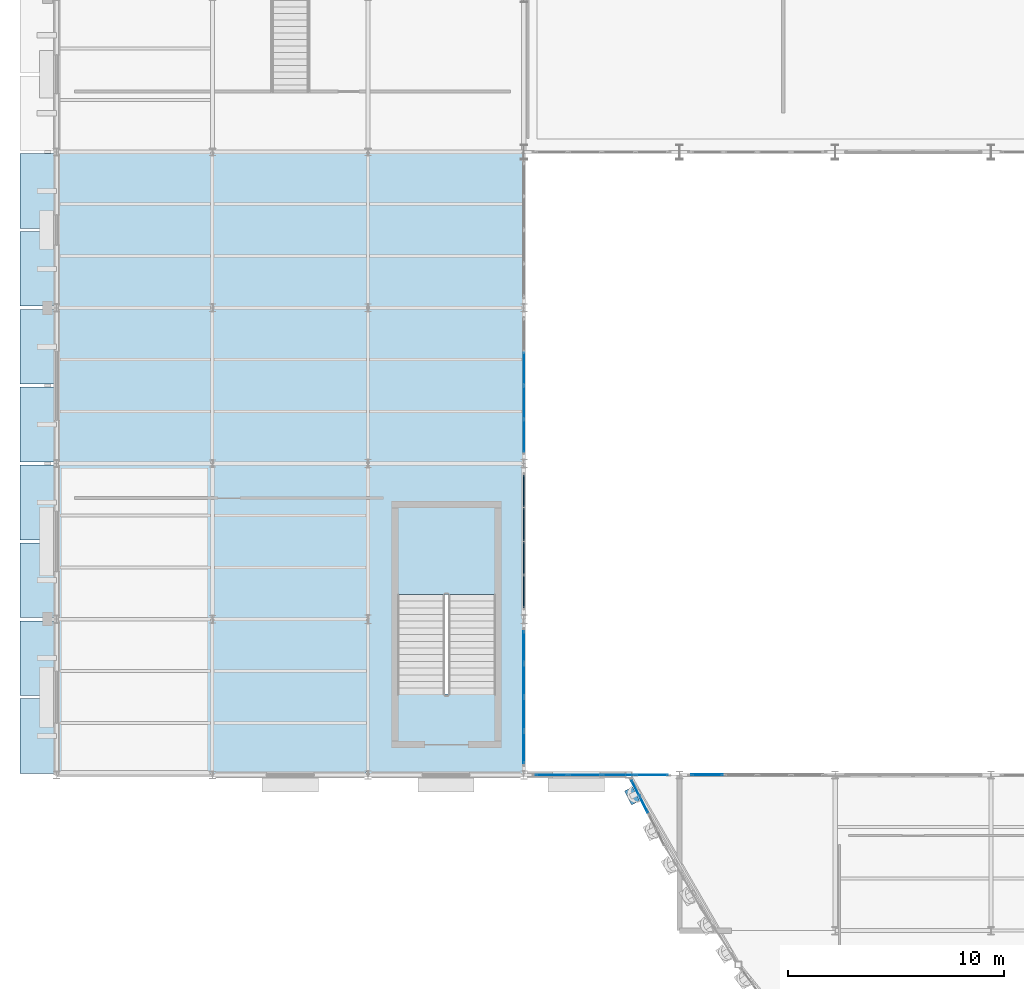
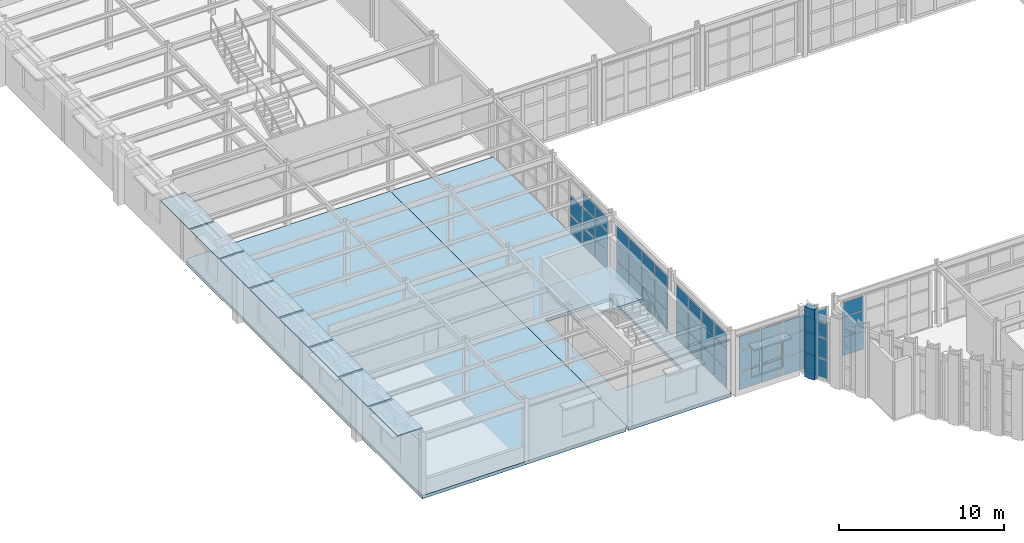
# One storey, part 84 of 126: 62 plates, 3 slabs, 7 elements without a shape of their own.
"""IFC4 building model written with IfcOpenShell, lengths in metres."""

from ifc_helpers import new_model, si_unit, direction, frame, origin, origin_2d, place, context, subcontext, project, spatial, polyline, rectangle, outline, extrude, material, layer, layer_set, type_object, element, aggregate, save


model = new_model("IFC4")

# Units and contexts
model_context = context("Model", 3, precision=1e-05, world=origin(), true_north=direction((0.0, 1.0)))
body_context = subcontext(model_context, "Body", "Model", "MODEL_VIEW")
ifc_project = project(units=[si_unit("LENGTHUNIT", "METRE"), si_unit("AREAUNIT", "SQUARE_METRE"), si_unit("VOLUMEUNIT", "CUBIC_METRE"), si_unit("PLANEANGLEUNIT", "RADIAN"), si_unit("MASSUNIT", "GRAM", prefix="KILO")], contexts=[model_context])

# Site, building, storey
site_placement = place(None, origin())
site = spatial("IfcSite", under=ifc_project, at=site_placement, CompositionType="ELEMENT")
building_placement = place(site_placement, origin())
building = spatial("IfcBuilding", under=site, at=building_placement, Name="Solvadek Multi-Sports Hall", CompositionType="ELEMENT")
storey_placement = place(building_placement, frame((0.0, 0.0, 9.60009765625)))
storey = spatial("IfcBuildingStorey", under=building, at=storey_placement, Name="L02", CompositionType="ELEMENT", Elevation=9.60009765625)

# Curtain wall, plates
ifc_material_1 = material(Name="Anodised aluminium", Category="aluminium")
ifc_layer_1 = layer(ifc_material_1, 0.159912109375, Name="Anodised aluminium")
ifc_layer_set_1 = layer_set([ifc_layer_1], Name="Anodised aluminium")
curtain_wall_type_1 = type_object("IfcCurtainWallType", Name="ENV-CW-624X400", PredefinedType="USERDEFINED", material=ifc_layer_set_1)
curtain_wall_1_placement = place(storey_placement, origin())
curtain_wall_1 = element("IfcCurtainWall", 1, at=curtain_wall_1_placement, inside=storey, type_object=curtain_wall_type_1, Name="L02 Perimeter Bay Curtain Wall #194", ObjectType="CURTAIN WALL", PredefinedType="USERDEFINED")
ifc_material_2 = material(Name="Tempered laminated low-E glass", Category="glass")
ifc_layer_2 = layer(ifc_material_2, 0.02392578125, Name="Tempered laminated low-E glass")
ifc_layer_set_2 = layer_set([ifc_layer_2], Name="Tempered laminated low-E glass")
plate_type_1 = type_object("IfcPlateType", Name="ENV-CWP-01", PredefinedType="CURTAIN_PANEL", material=ifc_layer_set_2)
plate_1_placement = place(storey_placement, frame((21.60009765625, 36.074951171875, 0.06494140625), z_axis=(0.0, 0.0, 1.0), x_axis=(0.0, 1.0, 0.0)))
plate_1 = element("IfcPlate", 2, at=plate_1_placement, type_object=plate_type_1, Name="CW-56 panel 1.1", PredefinedType="CURTAIN_PANEL", context=body_context, shape_type="SweptSolid", body=[
    extrude(rectangle(XDim=1.469970703125, YDim=0.02392578125, at=origin_2d()), origin(), (0.0, 0.0, 1.0), 1.302490234375),
])
plate_2_placement = place(storey_placement, frame((21.60009765625, 36.074951171875, 1.432373046875), z_axis=(0.0, 0.0, 1.0), x_axis=(0.0, 1.0, 0.0)))
plate_2 = element("IfcPlate", 3, at=plate_2_placement, type_object=plate_type_1, Name="CW-56 panel 1.2", PredefinedType="CURTAIN_PANEL", context=body_context, shape_type="SweptSolid", body=[
    extrude(rectangle(XDim=1.469970703125, YDim=0.02392578125, at=origin_2d()), origin(), (0.0, 0.0, 1.0), 1.4150390625),
])
plate_3_placement = place(storey_placement, frame((21.60009765625, 36.074951171875, 2.912353515625), z_axis=(0.0, 0.0, 1.0), x_axis=(0.0, 1.0, 0.0)))
plate_3 = element("IfcPlate", 4, at=plate_3_placement, type_object=plate_type_1, Name="CW-56 panel 1.3", PredefinedType="CURTAIN_PANEL", context=body_context, shape_type="SweptSolid", body=[
    extrude(rectangle(XDim=1.469970703125, YDim=0.02392578125, at=origin_2d()), origin(), (0.0, 0.0, 1.0), 1.0224609375),
])
plate_4_placement = place(storey_placement, frame((21.60009765625, 37.6201171875, 0.06494140625), z_axis=(0.0, 0.0, 1.0), x_axis=(0.0, 1.0, 0.0)))
plate_4 = element("IfcPlate", 5, at=plate_4_placement, type_object=plate_type_1, Name="CW-56 panel 2.1", PredefinedType="CURTAIN_PANEL", context=body_context, shape_type="SweptSolid", body=[
    extrude(rectangle(XDim=1.5, YDim=0.02392578125, at=origin_2d()), origin(), (0.0, 0.0, 1.0), 1.302490234375),
])
plate_5_placement = place(storey_placement, frame((21.60009765625, 37.6201171875, 1.432373046875), z_axis=(0.0, 0.0, 1.0), x_axis=(0.0, 1.0, 0.0)))
plate_5 = element("IfcPlate", 6, at=plate_5_placement, type_object=plate_type_1, Name="CW-56 panel 2.2", PredefinedType="CURTAIN_PANEL", context=body_context, shape_type="SweptSolid", body=[
    extrude(rectangle(XDim=1.5, YDim=0.02392578125, at=origin_2d()), origin(), (0.0, 0.0, 1.0), 1.4150390625),
])
plate_6_placement = place(storey_placement, frame((21.60009765625, 37.6201171875, 2.912353515625), z_axis=(0.0, 0.0, 1.0), x_axis=(0.0, 1.0, 0.0)))
plate_6 = element("IfcPlate", 7, at=plate_6_placement, type_object=plate_type_1, Name="CW-56 panel 2.3", PredefinedType="CURTAIN_PANEL", context=body_context, shape_type="SweptSolid", body=[
    extrude(rectangle(XDim=1.5, YDim=0.02392578125, at=origin_2d()), origin(), (0.0, 0.0, 1.0), 1.0224609375),
])
plate_7_placement = place(storey_placement, frame((21.60009765625, 39.179931640625, 0.06494140625), z_axis=(0.0, 0.0, 1.0), x_axis=(0.0, 1.0, 0.0)))
plate_7 = element("IfcPlate", 8, at=plate_7_placement, type_object=plate_type_1, Name="CW-56 panel 3.1", PredefinedType="CURTAIN_PANEL", context=body_context, shape_type="SweptSolid", body=[
    extrude(rectangle(XDim=1.5, YDim=0.02392578125, at=origin_2d()), origin(), (0.0, 0.0, 1.0), 1.302490234375),
])
plate_8_placement = place(storey_placement, frame((21.60009765625, 39.179931640625, 1.432373046875), z_axis=(0.0, 0.0, 1.0), x_axis=(0.0, 1.0, 0.0)))
plate_8 = element("IfcPlate", 9, at=plate_8_placement, type_object=plate_type_1, Name="CW-56 panel 3.2", PredefinedType="CURTAIN_PANEL", context=body_context, shape_type="SweptSolid", body=[
    extrude(rectangle(XDim=1.5, YDim=0.02392578125, at=origin_2d()), origin(), (0.0, 0.0, 1.0), 1.4150390625),
])
aggregate(curtain_wall_1, [plate_1, plate_2, plate_3, plate_4, plate_5, plate_6, plate_7, plate_8])

ifc_layer_3 = layer(ifc_material_1, 0.159912109375, Name="Anodised aluminium")
ifc_layer_set_3 = layer_set([ifc_layer_3], Name="Anodised aluminium")
curtain_wall_type_2 = type_object("IfcCurtainWallType", Name="ENV-CW-347X420", PredefinedType="USERDEFINED", material=ifc_layer_set_3)
curtain_wall_2_placement = place(storey_placement, origin())
curtain_wall_2 = element("IfcCurtainWall", 10, at=curtain_wall_2_placement, inside=storey, type_object=curtain_wall_type_2, Name="L02 Crescent Curved Curtain Wall #2", ObjectType="CURTAIN WALL", PredefinedType="USERDEFINED")
ifc_layer_4 = layer(ifc_material_2, 0.035888671875, Name="Tempered laminated low-E glass")
ifc_layer_set_4 = layer_set([ifc_layer_4], Name="Tempered laminated low-E glass")
plate_type_2 = type_object("IfcPlateType", Name="ENV-CWP-04", PredefinedType="CURTAIN_PANEL", material=ifc_layer_set_4)
plate_9_placement = place(storey_placement, frame((26.765869140625, 19.78466796875, 0.06494140625), z_axis=(0.0, 0.0, 1.0), x_axis=(0.451559432312, -0.892241043155, 0.0)))
plate_9 = element("IfcPlate", 11, at=plate_9_placement, type_object=plate_type_2, Name="CW-01 panel 1.1", PredefinedType="CURTAIN_PANEL", context=body_context, shape_type="SweptSolid", body=[
    extrude(rectangle(XDim=0.76904296875, YDim=0.035888671875, at=origin_2d()), origin(), (0.0, 0.0, 1.0), 1.37255859375),
])
plate_10_placement = place(storey_placement, frame((26.765869140625, 19.78466796875, 1.50244140625), z_axis=(0.0, 0.0, 1.0), x_axis=(0.451559432312, -0.892241043155, 0.0)))
plate_10 = element("IfcPlate", 12, at=plate_10_placement, type_object=plate_type_2, Name="CW-01 panel 1.2", PredefinedType="CURTAIN_PANEL", context=body_context, shape_type="SweptSolid", body=[
    extrude(rectangle(XDim=0.76904296875, YDim=0.035888671875, at=origin_2d()), origin(), (0.0, 0.0, 1.0), 1.489013671875),
])
plate_11_placement = place(storey_placement, frame((26.765869140625, 19.78466796875, 3.056396484375), z_axis=(0.0, 0.0, 1.0), x_axis=(0.451559432312, -0.892241043155, 0.0)))
plate_11 = element("IfcPlate", 13, at=plate_11_placement, type_object=plate_type_2, Name="CW-01 panel 1.3", PredefinedType="CURTAIN_PANEL", context=body_context, shape_type="SweptSolid", body=[
    extrude(rectangle(XDim=0.76904296875, YDim=0.035888671875, at=origin_2d()), origin(), (0.0, 0.0, 1.0), 1.07861328125),
])
plate_12_placement = place(storey_placement, frame((27.14990234375, 19.026123046875, 0.06494140625), z_axis=(0.0, 0.0, 1.0), x_axis=(0.451559432312, -0.892241043155, 0.0)))
plate_12 = element("IfcPlate", 14, at=plate_12_placement, type_object=plate_type_2, Name="CW-01 panel 2.1", PredefinedType="CURTAIN_PANEL", context=body_context, shape_type="SweptSolid", body=[
    extrude(rectangle(XDim=0.801513671875, YDim=0.035888671875, at=origin_2d()), origin(), (0.0, 0.0, 1.0), 1.37255859375),
])
plate_13_placement = place(storey_placement, frame((27.14990234375, 19.026123046875, 1.50244140625), z_axis=(0.0, 0.0, 1.0), x_axis=(0.451559432312, -0.892241043155, 0.0)))
plate_13 = element("IfcPlate", 15, at=plate_13_placement, type_object=plate_type_2, Name="CW-01 panel 2.2", PredefinedType="CURTAIN_PANEL", context=body_context, shape_type="SweptSolid", body=[
    extrude(rectangle(XDim=0.801513671875, YDim=0.035888671875, at=origin_2d()), origin(), (0.0, 0.0, 1.0), 1.489013671875),
])
plate_14_placement = place(storey_placement, frame((27.14990234375, 19.026123046875, 3.056396484375), z_axis=(0.0, 0.0, 1.0), x_axis=(0.451559432312, -0.892241043155, 0.0)))
plate_14 = element("IfcPlate", 16, at=plate_14_placement, type_object=plate_type_2, Name="CW-01 panel 2.3", PredefinedType="CURTAIN_PANEL", context=body_context, shape_type="SweptSolid", body=[
    extrude(rectangle(XDim=0.801513671875, YDim=0.035888671875, at=origin_2d()), origin(), (0.0, 0.0, 1.0), 1.07861328125),
])
aggregate(curtain_wall_2, [plate_9, plate_10, plate_11, plate_12, plate_13, plate_14])

ifc_layer_5 = layer(ifc_material_1, 0.159912109375, Name="Anodised aluminium")
ifc_layer_set_5 = layer_set([ifc_layer_5], Name="Anodised aluminium")
curtain_wall_type_3 = type_object("IfcCurtainWallType", Name="ENV-CW-624X408", PredefinedType="USERDEFINED", material=ifc_layer_set_5)
curtain_wall_3_placement = place(storey_placement, origin())
curtain_wall_3 = element("IfcCurtainWall", 17, at=curtain_wall_3_placement, inside=storey, type_object=curtain_wall_type_3, Name="L02 Perimeter Bay Curtain Wall #154", ObjectType="CURTAIN WALL", PredefinedType="USERDEFINED")
plate_15_placement = place(storey_placement, frame((22.876220703125, 20.39990234375, 0.06494140625), z_axis=(0.0, 0.0, 1.0), x_axis=(1.0, 0.0, 0.0)))
plate_15 = element("IfcPlate", 18, at=plate_15_placement, type_object=plate_type_2, Name="CW-40 panel 1.1", PredefinedType="CURTAIN_PANEL", context=body_context, shape_type="SweptSolid", body=[
    extrude(rectangle(XDim=1.46240234375, YDim=0.035888671875, at=origin_2d()), origin(), (0.0, 0.0, 1.0), 1.32861328125),
])
plate_16_placement = place(storey_placement, frame((22.876220703125, 20.39990234375, 1.45849609375), z_axis=(0.0, 0.0, 1.0), x_axis=(1.0, 0.0, 0.0)))
plate_16 = element("IfcPlate", 19, at=plate_16_placement, type_object=plate_type_2, Name="CW-40 panel 1.2", PredefinedType="CURTAIN_PANEL", context=body_context, shape_type="SweptSolid", body=[
    extrude(rectangle(XDim=1.46240234375, YDim=0.035888671875, at=origin_2d()), origin(), (0.0, 0.0, 1.0), 1.443115234375),
])
plate_17_placement = place(storey_placement, frame((22.876220703125, 20.39990234375, 2.96630859375), z_axis=(0.0, 0.0, 1.0), x_axis=(1.0, 0.0, 0.0)))
plate_17 = element("IfcPlate", 20, at=plate_17_placement, type_object=plate_type_2, Name="CW-40 panel 1.3", PredefinedType="CURTAIN_PANEL", context=body_context, shape_type="SweptSolid", body=[
    extrude(rectangle(XDim=1.46240234375, YDim=0.035888671875, at=origin_2d()), origin(), (0.0, 0.0, 1.0), 1.04345703125),
])
plate_18_placement = place(storey_placement, frame((24.419921875, 20.39990234375, 0.06494140625), z_axis=(0.0, 0.0, 1.0), x_axis=(1.0, 0.0, 0.0)))
plate_18 = element("IfcPlate", 21, at=plate_18_placement, type_object=plate_type_2, Name="CW-40 panel 2.1", PredefinedType="CURTAIN_PANEL", context=body_context, shape_type="SweptSolid", body=[
    extrude(rectangle(XDim=1.4951171875, YDim=0.035888671875, at=origin_2d()), origin(), (0.0, 0.0, 1.0), 1.32861328125),
])
plate_19_placement = place(storey_placement, frame((24.419921875, 20.39990234375, 1.45849609375), z_axis=(0.0, 0.0, 1.0), x_axis=(1.0, 0.0, 0.0)))
plate_19 = element("IfcPlate", 22, at=plate_19_placement, type_object=plate_type_2, Name="CW-40 panel 2.2", PredefinedType="CURTAIN_PANEL", context=body_context, shape_type="SweptSolid", body=[
    extrude(rectangle(XDim=1.4951171875, YDim=0.035888671875, at=origin_2d()), origin(), (0.0, 0.0, 1.0), 1.443115234375),
])
plate_20_placement = place(storey_placement, frame((24.419921875, 20.39990234375, 2.96630859375), z_axis=(0.0, 0.0, 1.0), x_axis=(1.0, 0.0, 0.0)))
plate_20 = element("IfcPlate", 23, at=plate_20_placement, type_object=plate_type_2, Name="CW-40 panel 2.3", PredefinedType="CURTAIN_PANEL", context=body_context, shape_type="SweptSolid", body=[
    extrude(rectangle(XDim=1.4951171875, YDim=0.035888671875, at=origin_2d()), origin(), (0.0, 0.0, 1.0), 1.04345703125),
])
plate_21_placement = place(storey_placement, frame((25.97998046875, 20.39990234375, 0.06494140625), z_axis=(0.0, 0.0, 1.0), x_axis=(1.0, 0.0, 0.0)))
plate_21 = element("IfcPlate", 24, at=plate_21_placement, type_object=plate_type_2, Name="CW-40 panel 3.1", PredefinedType="CURTAIN_PANEL", context=body_context, shape_type="SweptSolid", body=[
    extrude(rectangle(XDim=1.4951171875, YDim=0.035888671875, at=origin_2d()), origin(), (0.0, 0.0, 1.0), 1.32861328125),
])
plate_22_placement = place(storey_placement, frame((25.97998046875, 20.39990234375, 1.45849609375), z_axis=(0.0, 0.0, 1.0), x_axis=(1.0, 0.0, 0.0)))
plate_22 = element("IfcPlate", 25, at=plate_22_placement, type_object=plate_type_2, Name="CW-40 panel 3.2", PredefinedType="CURTAIN_PANEL", context=body_context, shape_type="SweptSolid", body=[
    extrude(rectangle(XDim=1.4951171875, YDim=0.035888671875, at=origin_2d()), origin(), (0.0, 0.0, 1.0), 1.443115234375),
])
plate_23_placement = place(storey_placement, frame((25.97998046875, 20.39990234375, 2.96630859375), z_axis=(0.0, 0.0, 1.0), x_axis=(1.0, 0.0, 0.0)))
plate_23 = element("IfcPlate", 26, at=plate_23_placement, type_object=plate_type_2, Name="CW-40 panel 3.3", PredefinedType="CURTAIN_PANEL", context=body_context, shape_type="SweptSolid", body=[
    extrude(rectangle(XDim=1.4951171875, YDim=0.035888671875, at=origin_2d()), origin(), (0.0, 0.0, 1.0), 1.04345703125),
])
plate_24_placement = place(storey_placement, frame((27.523681640625, 20.39990234375, 0.06494140625), z_axis=(0.0, 0.0, 1.0), x_axis=(1.0, 0.0, 0.0)))
plate_24 = element("IfcPlate", 27, at=plate_24_placement, type_object=plate_type_2, Name="CW-40 panel 4.1", PredefinedType="CURTAIN_PANEL", context=body_context, shape_type="SweptSolid", body=[
    extrude(rectangle(XDim=1.46240234375, YDim=0.035888671875, at=origin_2d()), origin(), (0.0, 0.0, 1.0), 1.32861328125),
])
plate_25_placement = place(storey_placement, frame((27.523681640625, 20.39990234375, 1.45849609375), z_axis=(0.0, 0.0, 1.0), x_axis=(1.0, 0.0, 0.0)))
plate_25 = element("IfcPlate", 28, at=plate_25_placement, type_object=plate_type_2, Name="CW-40 panel 4.2", PredefinedType="CURTAIN_PANEL", context=body_context, shape_type="SweptSolid", body=[
    extrude(rectangle(XDim=1.46240234375, YDim=0.035888671875, at=origin_2d()), origin(), (0.0, 0.0, 1.0), 1.443115234375),
])
plate_26_placement = place(storey_placement, frame((27.523681640625, 20.39990234375, 2.96630859375), z_axis=(0.0, 0.0, 1.0), x_axis=(1.0, 0.0, 0.0)))
plate_26 = element("IfcPlate", 29, at=plate_26_placement, type_object=plate_type_2, Name="CW-40 panel 4.3", PredefinedType="CURTAIN_PANEL", context=body_context, shape_type="SweptSolid", body=[
    extrude(rectangle(XDim=1.46240234375, YDim=0.035888671875, at=origin_2d()), origin(), (0.0, 0.0, 1.0), 1.04345703125),
])
aggregate(curtain_wall_3, [plate_15, plate_16, plate_17, plate_18, plate_19, plate_20, plate_21, plate_22, plate_23, plate_24, plate_25, plate_26])

ifc_layer_6 = layer(ifc_material_1, 0.159912109375, Name="Anodised aluminium")
ifc_layer_set_6 = layer_set([ifc_layer_6], Name="Anodised aluminium")
curtain_wall_type_4 = type_object("IfcCurtainWallType", Name="ENV-CW-624X405", PredefinedType="USERDEFINED", material=ifc_layer_set_6)
curtain_wall_4_placement = place(storey_placement, origin())
curtain_wall_4 = element("IfcCurtainWall", 30, at=curtain_wall_4_placement, inside=storey, type_object=curtain_wall_type_4, Name="L02 Perimeter Bay Curtain Wall #160", ObjectType="CURTAIN WALL", PredefinedType="USERDEFINED")
ifc_layer_7 = layer(ifc_material_2, 0.0419921875, Name="Tempered laminated low-E glass")
ifc_layer_set_7 = layer_set([ifc_layer_7], Name="Tempered laminated low-E glass")
plate_type_3 = type_object("IfcPlateType", Name="ENV-CWP-05", PredefinedType="CURTAIN_PANEL", material=ifc_layer_set_7)
plate_27_placement = place(storey_placement, frame((30.077392578125, 20.39990234375, 0.06005859375), z_axis=(0.0, 0.0, 1.0), x_axis=(1.0, 0.0, 0.0)))
plate_27 = element("IfcPlate", 31, at=plate_27_placement, type_object=plate_type_3, Name="CW-52 panel 1.1", PredefinedType="CURTAIN_PANEL", context=body_context, shape_type="SweptSolid", body=[
    extrude(rectangle(XDim=1.455078125, YDim=0.0419921875, at=origin_2d()), origin(), (0.0, 0.0, 1.0), 1.327880859375),
])
plate_28_placement = place(storey_placement, frame((30.077392578125, 20.39990234375, 1.447998046875), z_axis=(0.0, 0.0, 1.0), x_axis=(1.0, 0.0, 0.0)))
plate_28 = element("IfcPlate", 32, at=plate_28_placement, type_object=plate_type_3, Name="CW-52 panel 1.2", PredefinedType="CURTAIN_PANEL", context=body_context, shape_type="SweptSolid", body=[
    extrude(rectangle(XDim=1.455078125, YDim=0.0419921875, at=origin_2d()), origin(), (0.0, 0.0, 1.0), 1.43798828125),
])
plate_29_placement = place(storey_placement, frame((30.077392578125, 20.39990234375, 2.946044921875), z_axis=(0.0, 0.0, 1.0), x_axis=(1.0, 0.0, 0.0)))
plate_29 = element("IfcPlate", 33, at=plate_29_placement, type_object=plate_type_3, Name="CW-52 panel 1.3", PredefinedType="CURTAIN_PANEL", context=body_context, shape_type="SweptSolid", body=[
    extrude(rectangle(XDim=1.455078125, YDim=0.0419921875, at=origin_2d()), origin(), (0.0, 0.0, 1.0), 1.0439453125),
])
aggregate(curtain_wall_4, [plate_27, plate_28, plate_29])

curtain_wall_5_placement = place(storey_placement, origin())
curtain_wall_5 = element("IfcCurtainWall", 34, at=curtain_wall_5_placement, inside=storey, type_object=curtain_wall_type_4, Name="L02 Perimeter Bay Curtain Wall #182", ObjectType="CURTAIN WALL", PredefinedType="USERDEFINED")
plate_30_placement = place(storey_placement, frame((21.60009765625, 21.677490234375, 0.06005859375), z_axis=(0.0, 0.0, 1.0), x_axis=(0.0, 1.0, 0.0)))
plate_30 = element("IfcPlate", 35, at=plate_30_placement, type_object=plate_type_3, Name="CW-52 panel 1.1", PredefinedType="CURTAIN_PANEL", context=body_context, shape_type="SweptSolid", body=[
    extrude(rectangle(XDim=1.455078125, YDim=0.0419921875, at=origin_2d()), origin(), (0.0, 0.0, 1.0), 1.327880859375),
])
plate_31_placement = place(storey_placement, frame((21.60009765625, 21.677490234375, 1.447998046875), z_axis=(0.0, 0.0, 1.0), x_axis=(0.0, 1.0, 0.0)))
plate_31 = element("IfcPlate", 36, at=plate_31_placement, type_object=plate_type_3, Name="CW-52 panel 1.2", PredefinedType="CURTAIN_PANEL", context=body_context, shape_type="SweptSolid", body=[
    extrude(rectangle(XDim=1.455078125, YDim=0.0419921875, at=origin_2d()), origin(), (0.0, 0.0, 1.0), 1.43798828125),
])
plate_32_placement = place(storey_placement, frame((21.60009765625, 21.677490234375, 2.946044921875), z_axis=(0.0, 0.0, 1.0), x_axis=(0.0, 1.0, 0.0)))
plate_32 = element("IfcPlate", 37, at=plate_32_placement, type_object=plate_type_3, Name="CW-52 panel 1.3", PredefinedType="CURTAIN_PANEL", context=body_context, shape_type="SweptSolid", body=[
    extrude(rectangle(XDim=1.455078125, YDim=0.0419921875, at=origin_2d()), origin(), (0.0, 0.0, 1.0), 1.0439453125),
])
plate_33_placement = place(storey_placement, frame((21.60009765625, 23.219970703125, 0.06005859375), z_axis=(0.0, 0.0, 1.0), x_axis=(0.0, 1.0, 0.0)))
plate_33 = element("IfcPlate", 38, at=plate_33_placement, type_object=plate_type_3, Name="CW-52 panel 2.1", PredefinedType="CURTAIN_PANEL", context=body_context, shape_type="SweptSolid", body=[
    extrude(rectangle(XDim=1.489990234375, YDim=0.0419921875, at=origin_2d()), origin(), (0.0, 0.0, 1.0), 1.327880859375),
])
plate_34_placement = place(storey_placement, frame((21.60009765625, 23.219970703125, 1.447998046875), z_axis=(0.0, 0.0, 1.0), x_axis=(0.0, 1.0, 0.0)))
plate_34 = element("IfcPlate", 39, at=plate_34_placement, type_object=plate_type_3, Name="CW-52 panel 2.2", PredefinedType="CURTAIN_PANEL", context=body_context, shape_type="SweptSolid", body=[
    extrude(rectangle(XDim=1.489990234375, YDim=0.0419921875, at=origin_2d()), origin(), (0.0, 0.0, 1.0), 1.43798828125),
])
plate_35_placement = place(storey_placement, frame((21.60009765625, 23.219970703125, 2.946044921875), z_axis=(0.0, 0.0, 1.0), x_axis=(0.0, 1.0, 0.0)))
plate_35 = element("IfcPlate", 40, at=plate_35_placement, type_object=plate_type_3, Name="CW-52 panel 2.3", PredefinedType="CURTAIN_PANEL", context=body_context, shape_type="SweptSolid", body=[
    extrude(rectangle(XDim=1.489990234375, YDim=0.0419921875, at=origin_2d()), origin(), (0.0, 0.0, 1.0), 1.0439453125),
])
plate_36_placement = place(storey_placement, frame((21.60009765625, 24.780029296875, 0.06005859375), z_axis=(0.0, 0.0, 1.0), x_axis=(0.0, 1.0, 0.0)))
plate_36 = element("IfcPlate", 41, at=plate_36_placement, type_object=plate_type_3, Name="CW-52 panel 3.1", PredefinedType="CURTAIN_PANEL", context=body_context, shape_type="SweptSolid", body=[
    extrude(rectangle(XDim=1.489990234375, YDim=0.0419921875, at=origin_2d()), origin(), (0.0, 0.0, 1.0), 1.327880859375),
])
plate_37_placement = place(storey_placement, frame((21.60009765625, 24.780029296875, 1.447998046875), z_axis=(0.0, 0.0, 1.0), x_axis=(0.0, 1.0, 0.0)))
plate_37 = element("IfcPlate", 42, at=plate_37_placement, type_object=plate_type_3, Name="CW-52 panel 3.2", PredefinedType="CURTAIN_PANEL", context=body_context, shape_type="SweptSolid", body=[
    extrude(rectangle(XDim=1.489990234375, YDim=0.0419921875, at=origin_2d()), origin(), (0.0, 0.0, 1.0), 1.43798828125),
])
plate_38_placement = place(storey_placement, frame((21.60009765625, 24.780029296875, 2.946044921875), z_axis=(0.0, 0.0, 1.0), x_axis=(0.0, 1.0, 0.0)))
plate_38 = element("IfcPlate", 43, at=plate_38_placement, type_object=plate_type_3, Name="CW-52 panel 3.3", PredefinedType="CURTAIN_PANEL", context=body_context, shape_type="SweptSolid", body=[
    extrude(rectangle(XDim=1.489990234375, YDim=0.0419921875, at=origin_2d()), origin(), (0.0, 0.0, 1.0), 1.0439453125),
])
plate_39_placement = place(storey_placement, frame((21.60009765625, 26.322509765625, 0.06005859375), z_axis=(0.0, 0.0, 1.0), x_axis=(0.0, 1.0, 0.0)))
plate_39 = element("IfcPlate", 44, at=plate_39_placement, type_object=plate_type_3, Name="CW-52 panel 4.1", PredefinedType="CURTAIN_PANEL", context=body_context, shape_type="SweptSolid", body=[
    extrude(rectangle(XDim=1.455078125, YDim=0.0419921875, at=origin_2d()), origin(), (0.0, 0.0, 1.0), 1.327880859375),
])
plate_40_placement = place(storey_placement, frame((21.60009765625, 26.322509765625, 1.447998046875), z_axis=(0.0, 0.0, 1.0), x_axis=(0.0, 1.0, 0.0)))
plate_40 = element("IfcPlate", 45, at=plate_40_placement, type_object=plate_type_3, Name="CW-52 panel 4.2", PredefinedType="CURTAIN_PANEL", context=body_context, shape_type="SweptSolid", body=[
    extrude(rectangle(XDim=1.455078125, YDim=0.0419921875, at=origin_2d()), origin(), (0.0, 0.0, 1.0), 1.43798828125),
])
plate_41_placement = place(storey_placement, frame((21.60009765625, 26.322509765625, 2.946044921875), z_axis=(0.0, 0.0, 1.0), x_axis=(0.0, 1.0, 0.0)))
plate_41 = element("IfcPlate", 46, at=plate_41_placement, type_object=plate_type_3, Name="CW-52 panel 4.3", PredefinedType="CURTAIN_PANEL", context=body_context, shape_type="SweptSolid", body=[
    extrude(rectangle(XDim=1.455078125, YDim=0.0419921875, at=origin_2d()), origin(), (0.0, 0.0, 1.0), 1.0439453125),
])
aggregate(curtain_wall_5, [plate_30, plate_31, plate_32, plate_33, plate_34, plate_35, plate_36, plate_37, plate_38, plate_39, plate_40, plate_41])

ifc_layer_8 = layer(ifc_material_1, 0.159912109375, Name="Anodised aluminium")
ifc_layer_set_8 = layer_set([ifc_layer_8], Name="Anodised aluminium")
curtain_wall_type_5 = type_object("IfcCurtainWallType", Name="ENV-CW-624X403", PredefinedType="USERDEFINED", material=ifc_layer_set_8)
curtain_wall_6_placement = place(storey_placement, origin())
curtain_wall_6 = element("IfcCurtainWall", 47, at=curtain_wall_6_placement, inside=storey, type_object=curtain_wall_type_5, Name="L02 Perimeter Bay Curtain Wall #188", ObjectType="CURTAIN WALL", PredefinedType="USERDEFINED")
ifc_layer_9 = layer(ifc_material_2, 0.048095703125, Name="Tempered laminated low-E glass")
ifc_layer_set_9 = layer_set([ifc_layer_9], Name="Tempered laminated low-E glass")
plate_type_4 = type_object("IfcPlateType", Name="ENV-CWP-06", PredefinedType="CURTAIN_PANEL", material=ifc_layer_set_9)
plate_42_placement = place(storey_placement, frame((21.60009765625, 28.875, 0.06005859375), z_axis=(0.0, 0.0, 1.0), x_axis=(0.0, 1.0, 0.0)))
plate_42 = element("IfcPlate", 48, at=plate_42_placement, type_object=plate_type_4, Name="CW-43 panel 1.1", PredefinedType="CURTAIN_PANEL", context=body_context, shape_type="SweptSolid", body=[
    extrude(rectangle(XDim=1.469970703125, YDim=0.048095703125, at=origin_2d()), origin(), (0.0, 0.0, 1.0), 1.319091796875),
])
plate_43_placement = place(storey_placement, frame((21.60009765625, 28.875, 1.43896484375), z_axis=(0.0, 0.0, 1.0), x_axis=(0.0, 1.0, 0.0)))
plate_43 = element("IfcPlate", 49, at=plate_43_placement, type_object=plate_type_4, Name="CW-43 panel 1.2", PredefinedType="CURTAIN_PANEL", context=body_context, shape_type="SweptSolid", body=[
    extrude(rectangle(XDim=1.469970703125, YDim=0.048095703125, at=origin_2d()), origin(), (0.0, 0.0, 1.0), 1.428955078125),
])
plate_44_placement = place(storey_placement, frame((21.60009765625, 28.875, 2.927734375), z_axis=(0.0, 0.0, 1.0), x_axis=(0.0, 1.0, 0.0)))
plate_44 = element("IfcPlate", 50, at=plate_44_placement, type_object=plate_type_4, Name="CW-43 panel 1.3", PredefinedType="CURTAIN_PANEL", context=body_context, shape_type="SweptSolid", body=[
    extrude(rectangle(XDim=1.469970703125, YDim=0.048095703125, at=origin_2d()), origin(), (0.0, 0.0, 1.0), 1.037109375),
])
plate_45_placement = place(storey_placement, frame((21.60009765625, 30.419921875, 0.06005859375), z_axis=(0.0, 0.0, 1.0), x_axis=(0.0, 1.0, 0.0)))
plate_45 = element("IfcPlate", 51, at=plate_45_placement, type_object=plate_type_4, Name="CW-43 panel 2.1", PredefinedType="CURTAIN_PANEL", context=body_context, shape_type="SweptSolid", body=[
    extrude(rectangle(XDim=1.5, YDim=0.048095703125, at=origin_2d()), origin(), (0.0, 0.0, 1.0), 1.319091796875),
])
plate_46_placement = place(storey_placement, frame((21.60009765625, 30.419921875, 1.43896484375), z_axis=(0.0, 0.0, 1.0), x_axis=(0.0, 1.0, 0.0)))
plate_46 = element("IfcPlate", 52, at=plate_46_placement, type_object=plate_type_4, Name="CW-43 panel 2.2", PredefinedType="CURTAIN_PANEL", context=body_context, shape_type="SweptSolid", body=[
    extrude(rectangle(XDim=1.5, YDim=0.048095703125, at=origin_2d()), origin(), (0.0, 0.0, 1.0), 1.428955078125),
])
plate_47_placement = place(storey_placement, frame((21.60009765625, 30.419921875, 2.927734375), z_axis=(0.0, 0.0, 1.0), x_axis=(0.0, 1.0, 0.0)))
plate_47 = element("IfcPlate", 53, at=plate_47_placement, type_object=plate_type_4, Name="CW-43 panel 2.3", PredefinedType="CURTAIN_PANEL", context=body_context, shape_type="SweptSolid", body=[
    extrude(rectangle(XDim=1.5, YDim=0.048095703125, at=origin_2d()), origin(), (0.0, 0.0, 1.0), 1.037109375),
])
plate_48_placement = place(storey_placement, frame((21.60009765625, 31.97998046875, 0.06005859375), z_axis=(0.0, 0.0, 1.0), x_axis=(0.0, 1.0, 0.0)))
plate_48 = element("IfcPlate", 54, at=plate_48_placement, type_object=plate_type_4, Name="CW-43 panel 3.1", PredefinedType="CURTAIN_PANEL", context=body_context, shape_type="SweptSolid", body=[
    extrude(rectangle(XDim=1.5, YDim=0.048095703125, at=origin_2d()), origin(), (0.0, 0.0, 1.0), 1.319091796875),
])
plate_49_placement = place(storey_placement, frame((21.60009765625, 31.97998046875, 1.43896484375), z_axis=(0.0, 0.0, 1.0), x_axis=(0.0, 1.0, 0.0)))
plate_49 = element("IfcPlate", 55, at=plate_49_placement, type_object=plate_type_4, Name="CW-43 panel 3.2", PredefinedType="CURTAIN_PANEL", context=body_context, shape_type="SweptSolid", body=[
    extrude(rectangle(XDim=1.5, YDim=0.048095703125, at=origin_2d()), origin(), (0.0, 0.0, 1.0), 1.428955078125),
])
plate_50_placement = place(storey_placement, frame((21.60009765625, 31.97998046875, 2.927734375), z_axis=(0.0, 0.0, 1.0), x_axis=(0.0, 1.0, 0.0)))
plate_50 = element("IfcPlate", 56, at=plate_50_placement, type_object=plate_type_4, Name="CW-43 panel 3.3", PredefinedType="CURTAIN_PANEL", context=body_context, shape_type="SweptSolid", body=[
    extrude(rectangle(XDim=1.5, YDim=0.048095703125, at=origin_2d()), origin(), (0.0, 0.0, 1.0), 1.037109375),
])
plate_51_placement = place(storey_placement, frame((21.60009765625, 33.52490234375, 0.06005859375), z_axis=(0.0, 0.0, 1.0), x_axis=(0.0, 1.0, 0.0)))
plate_51 = element("IfcPlate", 57, at=plate_51_placement, type_object=plate_type_4, Name="CW-43 panel 4.1", PredefinedType="CURTAIN_PANEL", context=body_context, shape_type="SweptSolid", body=[
    extrude(rectangle(XDim=1.469970703125, YDim=0.048095703125, at=origin_2d()), origin(), (0.0, 0.0, 1.0), 1.319091796875),
])
plate_52_placement = place(storey_placement, frame((21.60009765625, 33.52490234375, 1.43896484375), z_axis=(0.0, 0.0, 1.0), x_axis=(0.0, 1.0, 0.0)))
plate_52 = element("IfcPlate", 58, at=plate_52_placement, type_object=plate_type_4, Name="CW-43 panel 4.2", PredefinedType="CURTAIN_PANEL", context=body_context, shape_type="SweptSolid", body=[
    extrude(rectangle(XDim=1.469970703125, YDim=0.048095703125, at=origin_2d()), origin(), (0.0, 0.0, 1.0), 1.428955078125),
])
plate_53_placement = place(storey_placement, frame((21.60009765625, 33.52490234375, 2.927734375), z_axis=(0.0, 0.0, 1.0), x_axis=(0.0, 1.0, 0.0)))
plate_53 = element("IfcPlate", 59, at=plate_53_placement, type_object=plate_type_4, Name="CW-43 panel 4.3", PredefinedType="CURTAIN_PANEL", context=body_context, shape_type="SweptSolid", body=[
    extrude(rectangle(XDim=1.469970703125, YDim=0.048095703125, at=origin_2d()), origin(), (0.0, 0.0, 1.0), 1.037109375),
])
aggregate(curtain_wall_6, [plate_42, plate_43, plate_44, plate_45, plate_46, plate_47, plate_48, plate_49, plate_50, plate_51, plate_52, plate_53])

# Plates
ifc_material_3 = material(Name="Perforated champagne-bronze anodised aluminium", Category="aluminium")
ifc_layer_10 = layer(ifc_material_3, 0.419921875, Name="Perforated champagne-bronze anodised aluminium")
ifc_layer_set_10 = layer_set([ifc_layer_10], Name="Perforated champagne-bronze anodised aluminium")
plate_type_5 = type_object("IfcPlateType", Name="ENV-FLT-520", PredefinedType="USERDEFINED", material=ifc_layer_set_10)
plate_54_placement = place(storey_placement, frame((26.608642578125, 19.43115234375, 0.0400390625), z_axis=(0.0, 0.0, 1.0), x_axis=(0.451555495273, -0.892243035663, 0.0)))
element("IfcPlate", 60, at=plate_54_placement, inside=storey, type_object=plate_type_5, Name="L02 Half-Cylinder Colonnade Flute #3", ObjectType="FLANGED_SHEET", PredefinedType="USERDEFINED", context=body_context, shape_type="SweptSolid", body=[
    extrude(rectangle(XDim=0.719970703125, YDim=0.419921875, at=origin_2d()), origin(), (0.0, 0.0, 1.0), 5.199951171875),
])
ifc_material_4 = material(Name="Teak hardwood timber", Category="wood")
ifc_layer_11 = layer(ifc_material_4, 0.080078125, Name="Teak hardwood timber")
ifc_layer_set_11 = layer_set([ifc_layer_11], Name="Teak hardwood timber")
plate_type_6 = type_object("IfcPlateType", Name="ENV-SHT-EAV2", PredefinedType="SHEET", material=ifc_layer_set_11)
for number, where, z_axis, x_axis, name in (
    (61, (-0.820068359375, 22.199951171875, 4.89990234375), (0.0, 0.0, 1.0), (1.0, 0.0, 0.0), "West Overhanging Sacak Eave Panel #1"),
    (62, (-0.820068359375, 25.800048828125, 4.89990234375), (0.0, 0.0, 1.0), (1.0, 0.0, 0.0), "West Overhanging Sacak Eave Panel #1"),
    (63, (-0.820068359375, 29.39990234375, 4.89990234375), (0.0, 0.0, 1.0), (1.0, 0.0, 0.0), "West Overhanging Sacak Eave Panel #2"),
    (64, (-0.820068359375, 33.0, 4.89990234375), (0.0, 0.0, 1.0), (1.0, 0.0, 0.0), "West Overhanging Sacak Eave Panel #2"),
    (65, (-0.820068359375, 36.60009765625, 4.89990234375), (0.0, 0.0, 1.0), (1.0, 0.0, 0.0), "West Overhanging Sacak Eave Panel #3"),
    (66, (-0.820068359375, 40.199951171875, 4.89990234375), (0.0, 0.0, 1.0), (1.0, 0.0, 0.0), "West Overhanging Sacak Eave Panel #3"),
    (67, (-0.820068359375, 43.800048828125, 4.89990234375), (0.0, 0.0, 1.0), (1.0, 0.0, 0.0), "West Overhanging Sacak Eave Panel #4"),
    (68, (-0.820068359375, 47.39990234375, 4.89990234375), (0.0, 0.0, 1.0), (1.0, 0.0, 0.0), "West Overhanging Sacak Eave Panel #4"),
):
    element("IfcPlate", number, at=place(storey_placement, frame(where, z_axis=z_axis, x_axis=x_axis)), inside=storey, type_object=plate_type_6, Name=name, PredefinedType="SHEET", context=body_context, shape_type="SweptSolid", body=[
        extrude(rectangle(XDim=1.75, YDim=3.4560546875, at=origin_2d()), origin(), (0.0, 0.0, 1.0), 0.080078125),
    ])

# Stair, slab
ifc_material_5 = material(Name="Concrete M35", Category="concrete")
stair_type = type_object("IfcStairType", Name="INT-STR-DOG220", PredefinedType="USERDEFINED", material=ifc_material_5)
stair_placement = place(storey_placement, origin())
stair = element("IfcStair", 69, at=stair_placement, inside=storey, type_object=stair_type, Name="L02 Exit Stair Core ST-01 (SW Crescent)", ObjectType="TWO_RUN_STAIR", PredefinedType="USERDEFINED")
ifc_layer_12 = layer(ifc_material_5, 0.199951171875, Name="Concrete M35")
ifc_layer_set_12 = layer_set([ifc_layer_12], Name="Concrete M35")
slab_type_1 = type_object("IfcSlabType", Name="INT-LND-RC200", PredefinedType="LANDING", material=ifc_layer_set_12)
slab_1_placement = place(storey_placement, frame((0.0, 0.0, 2.199951171875)))
slab_1 = element("IfcSlab", 70, at=slab_1_placement, type_object=slab_type_1, Name="ST-01 landing 1", PredefinedType="LANDING", context=body_context, shape_type="SweptSolid", body=[
    extrude(outline(polyline([(20.300048828125, 28.75), (20.300048828125, 32.800048828125), (15.75, 32.800048828125), (15.75, 28.75), (20.300048828125, 28.75)])), origin(), (0.0, 0.0, 1.0), 0.199951171875),
])
aggregate(stair, [slab_1])

# Slabs
ifc_layer_13 = layer(ifc_material_5, 0.239990234375, Name="Concrete M35")
ifc_layer_set_13 = layer_set([ifc_layer_13], Name="Concrete M35")
slab_type_2 = type_object("IfcSlabType", Name="STR-SLB-FLR240", PredefinedType="FLOOR", material=ifc_layer_set_13)
slab_2_placement = place(storey_placement, frame((0.0, 0.0, -0.239990234375)))
element("IfcSlab", 71, at=slab_2_placement, inside=storey, type_object=slab_type_2, Name="L02 Second Floor Slab #73", PredefinedType="FLOOR", context=body_context, shape_type="SweptSolid", body=[
    extrude(outline(polyline([(0.0, 48.97998046875), (0.219970703125, 49.199951171875), (14.39990234375, 49.199951171875), (14.39990234375, 20.6201171875), (14.179931640625, 20.39990234375), (0.0, 20.39990234375), (0.0, 48.97998046875)])), origin(), (0.0, 0.0, 1.0), 0.239990234375),
])
slab_3_placement = place(storey_placement, frame((0.0, 0.0, -0.239990234375)))
element("IfcSlab", 72, at=slab_3_placement, inside=storey, type_object=slab_type_2, Name="L02 Second Floor Slab #74", PredefinedType="FLOOR", context=body_context, shape_type="SweptSolid", body=[
    extrude(outline(polyline([(14.39990234375, 20.6201171875), (14.39990234375, 49.199951171875), (21.60009765625, 49.199951171875), (21.60009765625, 20.39990234375), (14.39990234375, 20.39990234375), (14.39990234375, 20.6201171875)]), holes=[polyline([(20.300048828125, 32.800048828125), (15.75, 32.800048828125), (15.75, 24.14501953125), (20.300048828125, 24.14501953125), (20.300048828125, 32.800048828125)])]), origin(), (0.0, 0.0, 1.0), 0.239990234375),
])

save(model, "model.ifc")
